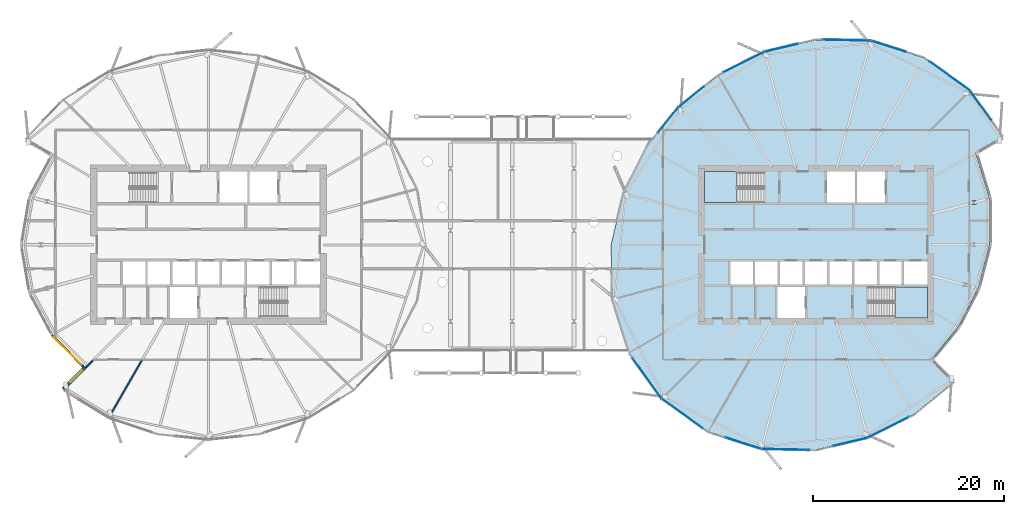
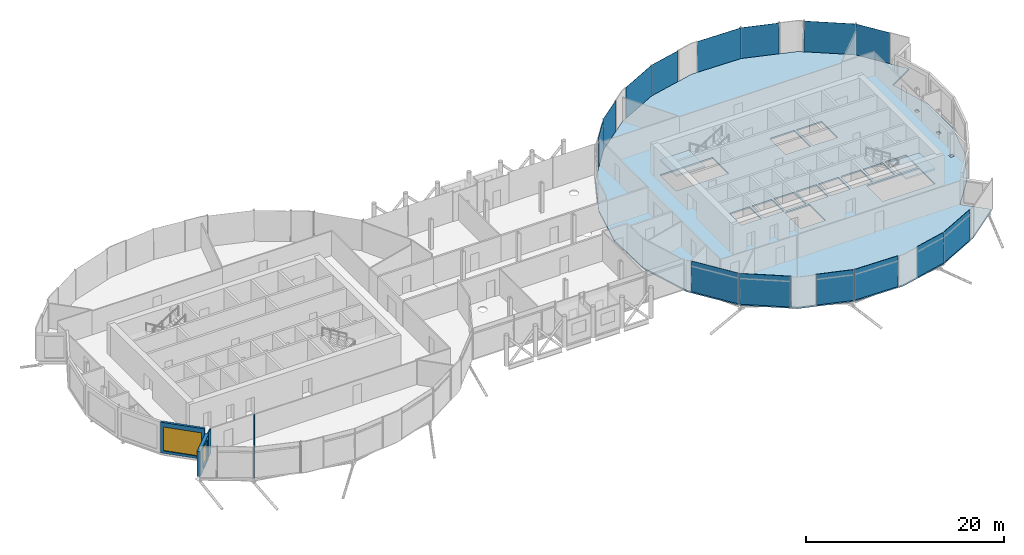
# One storey, part 22 of 39: 14 plates, 4 walls, 3 slabs, 2 windows, 2 openings, 3 elements without a shape of their own.
"""IFC4 building model written with IfcOpenShell, lengths in metres."""

from ifc_helpers import new_model, si_unit, direction, frame, frame_2d, origin, origin_2d, place, context, subcontext, project, spatial, polyline, rectangle, outline, extrude, material, layer, layer_set, type_object, element, fill, aggregate, save


model = new_model("IFC4")

# Units and contexts
model_context = context("Model", 3, precision=1e-05, world=origin(), true_north=direction((0.0, 1.0)))
body_context = subcontext(model_context, "Body", "Model", "MODEL_VIEW")
ifc_project = project(units=[si_unit("LENGTHUNIT", "METRE"), si_unit("AREAUNIT", "SQUARE_METRE"), si_unit("VOLUMEUNIT", "CUBIC_METRE"), si_unit("PLANEANGLEUNIT", "RADIAN"), si_unit("MASSUNIT", "GRAM", prefix="KILO")], contexts=[model_context])

# Site, building, storey
site_placement = place(None, origin())
site = spatial("IfcSite", under=ifc_project, at=site_placement, CompositionType="ELEMENT")
building_placement = place(site_placement, origin())
building = spatial("IfcBuilding", under=site, at=building_placement, Name="Rimbun Link Towers", CompositionType="ELEMENT")
storey_placement = place(building_placement, frame((0.0, 0.0, 139.199951171875)))
storey = spatial("IfcBuildingStorey", under=building, at=storey_placement, Name="L33", CompositionType="ELEMENT", Elevation=139.199951171875)

# Slab
ifc_material_1 = material(Name="Concrete C35/45", Category="concrete")
ifc_layer_1 = layer(ifc_material_1, 0.179931640625)
ifc_layer_set_1 = layer_set([ifc_layer_1], Name="COMPOSITE FLOOR 180")
slab_type_1 = type_object("IfcSlabType", Name="COMPOSITE FLOOR 180", PredefinedType="FLOOR", material=ifc_layer_set_1)
slab_1_placement = place(storey_placement, frame((0.0, 0.0, -0.179931640625)))
element("IfcSlab", 1, at=slab_1_placement, inside=storey, type_object=slab_type_1, Name="Floor slab T2 L33", PredefinedType="FLOOR", context=body_context, shape_type="SweptSolid", body=[
    extrude(outline(polyline([(41.9775390625, -17.714599609375), (37.146728515625, -20.140625), (31.75, -21.43115234375), (26.039794921875, -21.310791015625), (20.468994140625, -19.539306640625), (15.660888671875, -16.089111328125), (12.210693359375, -11.281005859375), (10.439208984375, -5.710205078125), (10.31884765625, 0.0), (11.609375, 5.396728515625), (14.035400390625, 10.2275390625), (17.384765625, 14.365234375), (21.5224609375, 17.714599609375), (26.353271484375, 20.140625), (31.75, 21.43115234375), (37.460205078125, 21.310791015625), (43.031005859375, 19.539306640625), (47.839111328125, 16.089111328125), (51.289306640625, 11.281005859375), (48.431396484375, 9.631103515625), (49.873291015625, 4.856201171875), (49.881103515625, 0.0), (48.702880859375, -4.54248046875), (46.606689453125, -8.577392578125), (43.78173828125, -12.03173828125), (46.115234375, -14.365234375), (41.9775390625, -17.714599609375)]), holes=[polyline([(30.60009765625, -7.64990234375), (30.60009765625, -4.39990234375), (27.699951171875, -4.39990234375), (27.699951171875, -7.64990234375), (30.60009765625, -7.64990234375)]), polyline([(25.138916015625, -4.14990234375), (25.138916015625, -1.75), (22.79443359375, -1.75), (22.79443359375, -4.14990234375), (25.138916015625, -4.14990234375)]), polyline([(27.7333984375, -4.14990234375), (27.7333984375, -1.75), (25.388916015625, -1.75), (25.388916015625, -4.14990234375), (27.7333984375, -4.14990234375)]), polyline([(30.327880859375, -4.14990234375), (30.327880859375, -1.75), (27.9833984375, -1.75), (27.9833984375, -4.14990234375), (30.327880859375, -4.14990234375)]), polyline([(32.922119140625, -4.14990234375), (32.922119140625, -1.75), (30.577880859375, -1.75), (30.577880859375, -4.14990234375), (32.922119140625, -4.14990234375)]), polyline([(35.5166015625, -4.14990234375), (35.5166015625, -1.75), (33.172119140625, -1.75), (33.172119140625, -4.14990234375), (35.5166015625, -4.14990234375)]), polyline([(26.239990234375, 4.39990234375), (26.239990234375, 7.64990234375), (20.10009765625, 7.64990234375), (20.10009765625, 4.39990234375), (26.239990234375, 4.39990234375)]), polyline([(35.800048828125, 4.39990234375), (35.800048828125, 7.64990234375), (32.89990234375, 7.64990234375), (32.89990234375, 4.39990234375), (35.800048828125, 4.39990234375)]), polyline([(43.39990234375, -7.64990234375), (43.39990234375, -4.39990234375), (37.260009765625, -4.39990234375), (37.260009765625, -7.64990234375), (43.39990234375, -7.64990234375)]), polyline([(47.5166015625, -4.367919921875), (47.5166015625, -3.974365234375), (47.11767578125, -3.974365234375), (47.11767578125, -4.367919921875), (47.5166015625, -4.367919921875)]), polyline([(38.111083984375, -4.14990234375), (38.111083984375, -1.75), (35.7666015625, -1.75), (35.7666015625, -4.14990234375), (38.111083984375, -4.14990234375)]), polyline([(40.70556640625, -4.14990234375), (40.70556640625, -1.75), (38.361083984375, -1.75), (38.361083984375, -4.14990234375), (40.70556640625, -4.14990234375)]), polyline([(43.39990234375, -4.14990234375), (43.39990234375, -1.75), (40.95556640625, -1.75), (40.95556640625, -4.14990234375), (43.39990234375, -4.14990234375)]), polyline([(48.435546875, -0.19677734375), (48.435546875, 0.19677734375), (48.03662109375, 0.19677734375), (48.03662109375, -0.19677734375), (48.435546875, -0.19677734375)]), polyline([(48.450927734375, 4.224609375), (48.450927734375, 4.618408203125), (48.052001953125, 4.618408203125), (48.052001953125, 4.224609375), (48.450927734375, 4.224609375)]), polyline([(38.949951171875, 4.39990234375), (38.949951171875, 7.64990234375), (36.050048828125, 7.64990234375), (36.050048828125, 4.39990234375), (38.949951171875, 4.39990234375)])]), origin(), (0.0, 0.0, 1.0), 0.179931640625),
])

# Curtain wall, plates
ifc_material_2 = material(Name="Aluminium 6063-T6 and low-iron glass", Category="aluminium")
curtain_wall_type = type_object("IfcCurtainWallType", Name="CW4 link block wall", PredefinedType="NOTDEFINED", material=ifc_material_2)
curtain_wall_placement = place(storey_placement, origin())
curtain_wall = element("IfcCurtainWall", 2, at=curtain_wall_placement, inside=storey, type_object=curtain_wall_type, Name="CW4 L33 T2", PredefinedType="NOTDEFINED")
ifc_material_3 = material(Name="Low-iron glass, laminated low-e unit", Category="glass")
ifc_layer_2 = layer(ifc_material_3, 0.028076171875)
ifc_layer_set_2 = layer_set([ifc_layer_2], Name="CW4 panel Low-iron glass 28")
plate_type = type_object("IfcPlateType", Name="CW4 panel Low-iron glass 28", PredefinedType="CURTAIN_PANEL", material=ifc_layer_set_2)
plate_1_placement = place(storey_placement, frame((45.707275390625, 17.635986328125, 0.0), z_axis=(0.0, 0.0, 1.0), x_axis=(0.81246534364, -0.58300948996, 0.0)))
plate_1 = element("IfcPlate", 3, at=plate_1_placement, type_object=plate_type, Name="CW4 panel", PredefinedType="CURTAIN_PANEL", context=body_context, shape_type="SweptSolid", body=[
    extrude(rectangle(XDim=5.22802734375, YDim=0.028076171875, at=origin_2d()), origin(), (0.0, 0.0, 1.0), 3.800048828125),
])
plate_2_placement = place(storey_placement, frame((39.344482421875, 20.726318359375, 0.0), z_axis=(0.0, 0.0, 1.0), x_axis=(0.952971600555, -0.303059612182, 0.0)))
plate_2 = element("IfcPlate", 4, at=plate_2_placement, type_object=plate_type, Name="CW4 panel", PredefinedType="CURTAIN_PANEL", context=body_context, shape_type="SweptSolid", body=[
    extrude(rectangle(XDim=3.90576171875, YDim=0.028076171875, at=origin_2d()), origin(), (0.0, 0.0, 1.0), 3.800048828125),
])
plate_3_placement = place(storey_placement, frame((34.930419921875, 21.378173828125, 0.0), z_axis=(0.0, 0.0, 1.0), x_axis=(0.999778152734, -0.021062889527, 0.0)))
plate_3 = element("IfcPlate", 5, at=plate_3_placement, type_object=plate_type, Name="CW4 panel", PredefinedType="CURTAIN_PANEL", context=body_context, shape_type="SweptSolid", body=[
    extrude(rectangle(XDim=5.021484375, YDim=0.028076171875, at=origin_2d()), origin(), (0.0, 0.0, 1.0), 3.800048828125),
])
plate_4_placement = place(storey_placement, frame((28.148681640625, 20.58447265625, 0.0), z_axis=(0.0, 0.0, 1.0), x_axis=(0.972575435448, 0.232587665973, 0.0)))
plate_4 = element("IfcPlate", 6, at=plate_4_placement, type_object=plate_type, Name="CW4 panel", PredefinedType="CURTAIN_PANEL", context=body_context, shape_type="SweptSolid", body=[
    extrude(rectangle(XDim=3.658935546875, YDim=0.028076171875, at=origin_2d()), origin(), (0.0, 0.0, 1.0), 3.800048828125),
])
plate_5_placement = place(storey_placement, frame((24.19970703125, 19.07470703125, 0.0), z_axis=(0.0, 0.0, 1.0), x_axis=(0.893641464981, 0.448781608432, 0.0)))
plate_5 = element("IfcPlate", 7, at=plate_5_placement, type_object=plate_type, Name="CW4 panel", PredefinedType="CURTAIN_PANEL", context=body_context, shape_type="SweptSolid", body=[
    extrude(rectangle(XDim=4.765869140625, YDim=0.028076171875, at=origin_2d()), origin(), (0.0, 0.0, 1.0), 3.800048828125),
])
plate_6_placement = place(storey_placement, frame((18.725830078125, 15.46875, 0.0), z_axis=(0.0, 0.0, 1.0), x_axis=(0.777276803841, 0.629158779809, 0.0)))
plate_6 = element("IfcPlate", 8, at=plate_6_placement, type_object=plate_type, Name="CW4 panel", PredefinedType="CURTAIN_PANEL", context=body_context, shape_type="SweptSolid", body=[
    extrude(rectangle(XDim=3.433349609375, YDim=0.028076171875, at=origin_2d()), origin(), (0.0, 0.0, 1.0), 3.800048828125),
])
plate_7_placement = place(storey_placement, frame((16.296875, 13.043701171875, 0.0), z_axis=(0.0, 0.0, 1.0), x_axis=(0.629158779809, 0.777276803841, 0.0)))
plate_7 = element("IfcPlate", 9, at=plate_7_placement, type_object=plate_type, Name="CW4 panel", PredefinedType="CURTAIN_PANEL", context=body_context, shape_type="SweptSolid", body=[
    extrude(rectangle(XDim=3.383544921875, YDim=0.028076171875, at=origin_2d()), origin(), (0.0, 0.0, 1.0), 3.800048828125),
])
plate_8_placement = place(storey_placement, frame((14.099365234375, -13.93701171875, 0.0), z_axis=(0.0, 0.0, 1.0), x_axis=(-0.58300948996, 0.81246534364, 0.0)))
plate_8 = element("IfcPlate", 10, at=plate_8_placement, type_object=plate_type, Name="CW4 panel", PredefinedType="CURTAIN_PANEL", context=body_context, shape_type="SweptSolid", body=[
    extrude(rectangle(XDim=5.27783203125, YDim=0.028076171875, at=origin_2d()), origin(), (0.0, 0.0, 1.0), 3.800048828125),
])
plate_9_placement = place(storey_placement, frame((17.792724609375, -17.635986328125, 0.0), z_axis=(0.0, 0.0, 1.0), x_axis=(-0.81246534364, 0.58300948996, 0.0)))
plate_9 = element("IfcPlate", 11, at=plate_9_placement, type_object=plate_type, Name="CW4 panel", PredefinedType="CURTAIN_PANEL", context=body_context, shape_type="SweptSolid", body=[
    extrude(rectangle(XDim=5.22802734375, YDim=0.028076171875, at=origin_2d()), origin(), (0.0, 0.0, 1.0), 3.800048828125),
])
plate_10_placement = place(storey_placement, frame((24.155517578125, -20.726318359375, 0.0), z_axis=(0.0, 0.0, 1.0), x_axis=(-0.952971600555, 0.303059612182, 0.0)))
plate_10 = element("IfcPlate", 12, at=plate_10_placement, type_object=plate_type, Name="CW4 panel", PredefinedType="CURTAIN_PANEL", context=body_context, shape_type="SweptSolid", body=[
    extrude(rectangle(XDim=3.90576171875, YDim=0.028076171875, at=origin_2d()), origin(), (0.0, 0.0, 1.0), 3.800048828125),
])
plate_11_placement = place(storey_placement, frame((28.569580078125, -21.378173828125, 0.0), z_axis=(0.0, 0.0, 1.0), x_axis=(-0.999778152734, 0.021062889527, 0.0)))
plate_11 = element("IfcPlate", 13, at=plate_11_placement, type_object=plate_type, Name="CW4 panel", PredefinedType="CURTAIN_PANEL", context=body_context, shape_type="SweptSolid", body=[
    extrude(rectangle(XDim=5.021484375, YDim=0.028076171875, at=origin_2d()), origin(), (0.0, 0.0, 1.0), 3.800048828125),
])
plate_12_placement = place(storey_placement, frame((35.351318359375, -20.58447265625, 0.0), z_axis=(0.0, 0.0, 1.0), x_axis=(-0.972575435448, -0.232587665973, 0.0)))
plate_12 = element("IfcPlate", 14, at=plate_12_placement, type_object=plate_type, Name="CW4 panel", PredefinedType="CURTAIN_PANEL", context=body_context, shape_type="SweptSolid", body=[
    extrude(rectangle(XDim=3.658935546875, YDim=0.028076171875, at=origin_2d()), origin(), (0.0, 0.0, 1.0), 3.800048828125),
])
plate_13_placement = place(storey_placement, frame((39.30029296875, -19.07470703125, 0.0), z_axis=(0.0, 0.0, 1.0), x_axis=(-0.893641464981, -0.448781608432, 0.0)))
plate_13 = element("IfcPlate", 15, at=plate_13_placement, type_object=plate_type, Name="CW4 panel", PredefinedType="CURTAIN_PANEL", context=body_context, shape_type="SweptSolid", body=[
    extrude(rectangle(XDim=4.765869140625, YDim=0.028076171875, at=origin_2d()), origin(), (0.0, 0.0, 1.0), 3.800048828125),
])
plate_14_placement = place(storey_placement, frame((48.96337890625, 14.54638671875, 0.0), z_axis=(0.0, 0.0, 1.0), x_axis=(0.58300948996, -0.81246534364, 0.0)))
plate_14 = element("IfcPlate", 16, at=plate_14_placement, type_object=plate_type, Name="CW4 panel", PredefinedType="CURTAIN_PANEL", context=body_context, shape_type="SweptSolid", body=[
    extrude(rectangle(XDim=3.77783203125, YDim=0.028076171875, at=origin_2d()), origin(), (0.0, 0.0, 1.0), 3.800048828125),
])
aggregate(curtain_wall, [plate_1, plate_2, plate_3, plate_4, plate_5, plate_6, plate_7, plate_8, plate_9, plate_10, plate_11, plate_12, plate_13, plate_14])

# Stair, slab
ifc_material_4 = material(Name="Concrete C40/50", Category="concrete")
stair_type = type_object("IfcStairType", Name="Exit stair 3800 rise", PredefinedType="HALF_TURN_STAIR", material=ifc_material_4)
stair_1_placement = place(storey_placement, origin())
stair_1 = element("IfcStair", 17, at=stair_1_placement, inside=storey, type_object=stair_type, Name="L33 EXIT STAIR A", PredefinedType="HALF_TURN_STAIR")
ifc_material_5 = material(Name="Concrete C40/50", Category="concrete")
ifc_layer_3 = layer(ifc_material_5, 0.199951171875)
ifc_layer_set_3 = layer_set([ifc_layer_3], Name="Stair landing")
slab_type_2 = type_object("IfcSlabType", Name="Stair landing", PredefinedType="LANDING", material=ifc_layer_set_3)
slab_2_placement = place(storey_placement, frame((0.0, 0.0, 1.699951171875)))
slab_2 = element("IfcSlab", 18, at=slab_2_placement, type_object=slab_type_2, Name="ST3 landing 1", PredefinedType="LANDING", context=body_context, shape_type="SweptSolid", body=[
    extrude(outline(polyline([(23.5, 7.64990234375), (20.10009765625, 7.64990234375), (20.10009765625, 4.39990234375), (23.5, 4.39990234375), (23.5, 7.64990234375)])), origin(), (0.0, 0.0, 1.0), 0.2001953125),
])
aggregate(stair_1, [slab_2])

stair_2_placement = place(storey_placement, origin())
stair_2 = element("IfcStair", 19, at=stair_2_placement, inside=storey, type_object=stair_type, Name="L33 EXIT STAIR B", PredefinedType="HALF_TURN_STAIR")
slab_3_placement = place(storey_placement, frame((0.0, 0.0, 1.699951171875)))
slab_3 = element("IfcSlab", 20, at=slab_3_placement, type_object=slab_type_2, Name="ST4 landing 1", PredefinedType="LANDING", context=body_context, shape_type="SweptSolid", body=[
    extrude(outline(polyline([(40.0, -7.64990234375), (43.39990234375, -7.64990234375), (43.39990234375, -4.39990234375), (40.0, -4.39990234375), (40.0, -7.64990234375)])), origin(), (0.0, 0.0, 1.0), 0.2001953125),
])
aggregate(stair_2, [slab_3])

# Wall, opening, window
ifc_material_6 = material(Name="Dark enamelled glass spandrel on insulated aluminium backpan", Category="aluminium")
ifc_layer_4 = layer(ifc_material_6, 0.25)
ifc_layer_set_4 = layer_set([ifc_layer_4], Name="CS dark enamelled spandrel wall 250")
wall_type_1 = type_object("IfcWallType", Name="CS dark enamelled spandrel wall 250", PredefinedType="STANDARD", material=ifc_layer_set_4)
wall_1_placement = place(storey_placement, frame((-44.835693359375, -12.73193359375, 0.0), z_axis=(0.0, 0.0, 1.0), x_axis=(-0.705970868874, 0.708240871668, 0.0)))
wall_1 = element("IfcWall", 21, at=wall_1_placement, inside=storey, type_object=wall_type_1, Name="Crease spandrel wall", PredefinedType="STANDARD", context=body_context, shape_type="SweptSolid", body=[
    extrude(rectangle(XDim=4.624755859375, YDim=0.25, at=frame_2d((2.3125, 0.0))), origin(), (0.0, 0.0, 1.0), 3.800048828125),
])
opening_1_placement = place(wall_1_placement, frame((0.3125, 0.0, 0.300048828125)))
opening_1 = element("IfcOpeningElement", 22, at=opening_1_placement, cuts=wall_1, Name="Opening WR40H295", PredefinedType="OPENING", context=body_context, shape_type="SweptSolid", body=[
    extrude(rectangle(XDim=4.0, YDim=2.949951171875, at=frame_2d((2.0, 1.47509765625))), frame((0.0, 0.135009765625, 0.0), z_axis=(0.0, -1.0, 0.0), x_axis=(1.0, 0.0, 0.0)), (0.0, 0.0, 1.0), 0.27001953125),
])
ifc_material_7 = material(Name="Aluminium framed fixed window, dark tinted low-e glass", Category="aluminium")
window_type_1 = type_object("IfcWindowType", Name="WR ribbon window 4000X2950", PartitioningType="SINGLE_PANEL", PredefinedType="WINDOW", material=ifc_material_7)
window_1_placement = place(opening_1_placement, origin())
window_1 = element("IfcWindow", 23, at=window_1_placement, inside=storey, type_object=window_type_1, Name="Crease ribbon window", OverallHeight=2.949951171875, OverallWidth=4.0, PartitioningType="SINGLE_PANEL", PredefinedType="WINDOW", context=body_context, shape_type="SweptSolid", body=[
    extrude(rectangle(XDim=4.0, YDim=2.949951171875, at=frame_2d((2.0, 1.47509765625))), frame((0.0, 0.030029296875, 0.0), z_axis=(0.0, -1.0, 0.0), x_axis=(1.0, 0.0, 0.0)), (0.0, 0.0, 1.0), 0.06005859375),
])
fill(opening_1, window_1)

ifc_material_8 = material(Name="Dark enamelled glass spandrel on insulated aluminium backpan", Category="aluminium")
ifc_layer_5 = layer(ifc_material_8, 0.3701171875)
ifc_layer_set_5 = layer_set([ifc_layer_5], Name="CS dark enamelled spandrel wall 370")
wall_type_2 = type_object("IfcWallType", Name="CS dark enamelled spandrel wall 370", PredefinedType="STANDARD", material=ifc_layer_set_5)
wall_2_placement = place(storey_placement, frame((-46.93603515625, -15.093994140625, 0.0), z_axis=(0.0, 0.0, 1.0), x_axis=(0.707106781187, 0.707106781187, 0.0)))
wall_2 = element("IfcWall", 24, at=wall_2_placement, inside=storey, type_object=wall_type_2, Name="Crease spandrel wall", PredefinedType="STANDARD", context=body_context, shape_type="SweptSolid", body=[
    extrude(rectangle(XDim=3.280029296875, YDim=0.3701171875, at=frame_2d((1.64013671875, 0.0))), origin(), (0.0, 0.0, 1.0), 3.076904296875),
])
opening_2_placement = place(wall_2_placement, frame((1.046142578125, 0.0, 0.300048828125)))
opening_2 = element("IfcOpeningElement", 25, at=opening_2_placement, cuts=wall_2, Name="Opening WR18H245", PredefinedType="OPENING", context=body_context, shape_type="SweptSolid", body=[
    extrude(rectangle(XDim=1.75, YDim=2.449951171875, at=frame_2d((0.875, 1.22509765625))), frame((0.0, 0.195068359375, 0.0), z_axis=(0.0, -1.0, 0.0), x_axis=(1.0, 0.0, 0.0)), (0.0, 0.0, 1.0), 0.39013671875),
])
ifc_material_9 = material(Name="Aluminium framed fixed window, dark tinted low-e glass", Category="aluminium")
window_type_2 = type_object("IfcWindowType", Name="WR ribbon window 1750X2450", PartitioningType="SINGLE_PANEL", PredefinedType="WINDOW", material=ifc_material_9)
window_2_placement = place(opening_2_placement, origin())
window_2 = element("IfcWindow", 26, at=window_2_placement, inside=storey, type_object=window_type_2, Name="Crease ribbon window", OverallHeight=2.449951171875, OverallWidth=1.75, PartitioningType="SINGLE_PANEL", PredefinedType="WINDOW", context=body_context, shape_type="SweptSolid", body=[
    extrude(rectangle(XDim=1.75, YDim=2.449951171875, at=frame_2d((0.875, 1.22509765625))), frame((0.0, 0.030029296875, 0.0), z_axis=(0.0, -1.0, 0.0), x_axis=(1.0, 0.0, 0.0)), (0.0, 0.0, 1.0), 0.06005859375),
])
fill(opening_2, window_2)

# Walls
ifc_material_10 = material(Name="Gypsum board on steel studs", Category="steel")
ifc_layer_6 = layer(ifc_material_10, 0.125)
ifc_layer_set_6 = layer_set([ifc_layer_6], Name="Partition 125 board on studs")
wall_type_3 = type_object("IfcWallType", Name="Partition 125 board on studs", PredefinedType="PARTITIONING", material=ifc_layer_set_6)
wall_3_placement = place(storey_placement, frame((-44.584716796875, -12.834716796875, 0.0), z_axis=(0.0, 0.0, 1.0), x_axis=(0.707106781187, 0.707106781187, 0.0)))
element("IfcWall", 27, at=wall_3_placement, inside=storey, type_object=wall_type_3, Name="TW/PW/L33/010", PredefinedType="PARTITIONING", context=body_context, shape_type="SweptSolid", body=[
    extrude(rectangle(XDim=1.029541015625, YDim=0.125, at=frame_2d((0.5146484375, 0.0))), origin(), (0.0, 0.0, 1.0), 3.067138671875),
])
wall_4_placement = place(storey_placement, frame((-42.215576171875, -18.126708984375, 0.0), z_axis=(0.0, 0.0, 1.0), x_axis=(0.500002562692, 0.866023924208, 0.0)))
element("IfcWall", 28, at=wall_4_placement, inside=storey, type_object=wall_type_3, Name="TW/PW/L33/026", PredefinedType="PARTITIONING", context=body_context, shape_type="SweptSolid", body=[
    extrude(rectangle(XDim=6.96630859375, YDim=0.125, at=frame_2d((3.483154296875, 0.0))), origin(), (0.0, 0.0, 1.0), 2.9970703125),
])

save(model, "model.ifc")
